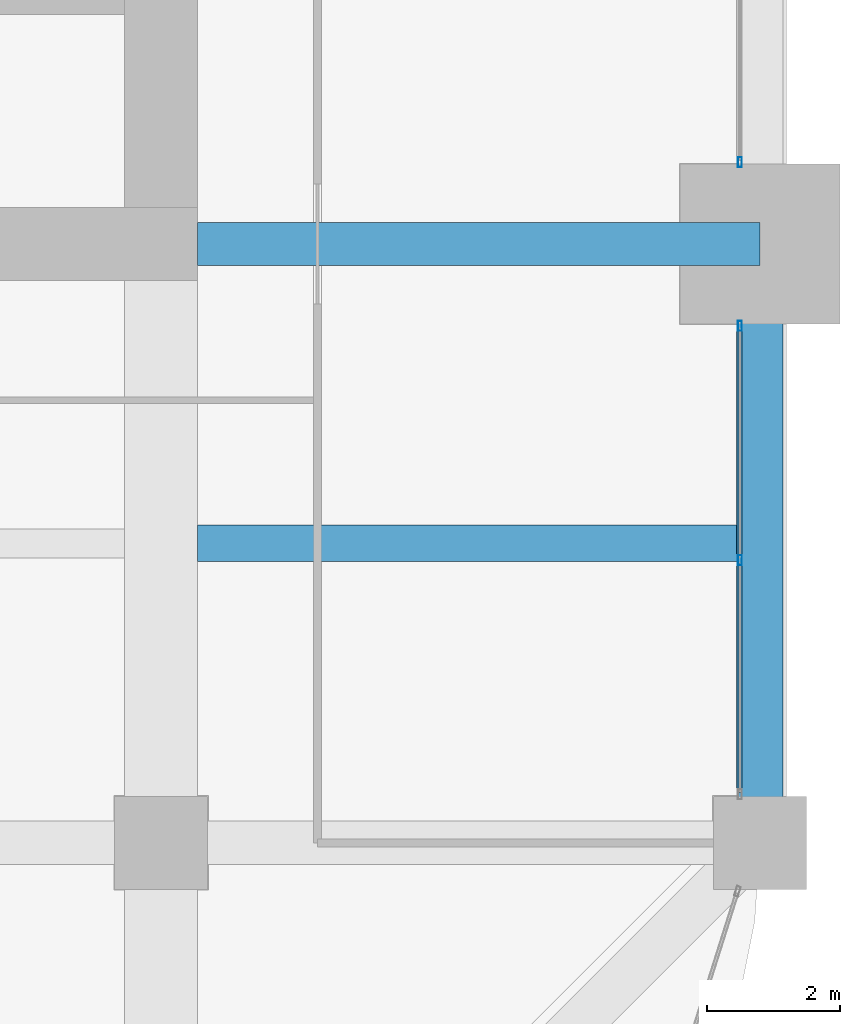
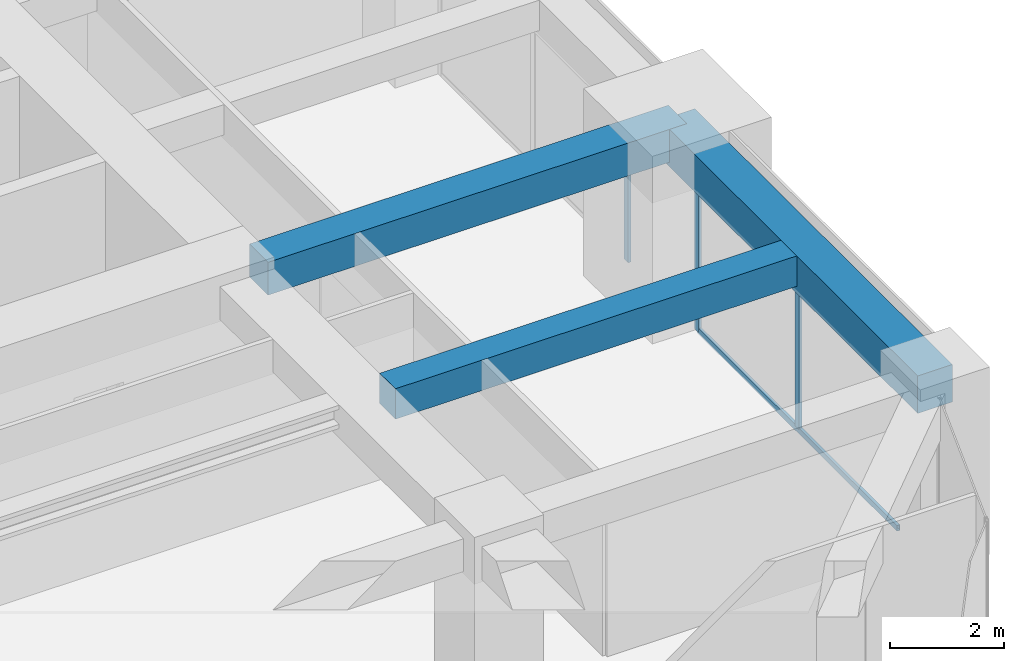
# One storey, part 17 of 33: 4 members, 3 beams, 2 elements without a shape of their own.
"""IFC4 building model written with IfcOpenShell, lengths in metres."""

from ifc_helpers import new_model, si_unit, direction, frame, origin, origin_2d, place, context, subcontext, project, spatial, rectangle, hollow_rectangle, extrude, material, material_profile, profile_set, type_object, element, aggregate, save


model = new_model("IFC4")

# Units and contexts
model_context = context("Model", 3, precision=1e-05, world=origin(), true_north=direction((0.0, 1.0)))
body_context = subcontext(model_context, "Body", "Model", "MODEL_VIEW")
ifc_project = project(units=[si_unit("LENGTHUNIT", "METRE"), si_unit("AREAUNIT", "SQUARE_METRE"), si_unit("VOLUMEUNIT", "CUBIC_METRE"), si_unit("PLANEANGLEUNIT", "RADIAN"), si_unit("MASSUNIT", "GRAM", prefix="KILO")], contexts=[model_context])

# Site, building, storey
site_placement = place(None, origin())
site = spatial("IfcSite", under=ifc_project, at=site_placement, CompositionType="ELEMENT")
building_placement = place(site_placement, origin())
building = spatial("IfcBuilding", under=site, at=building_placement, Name="Zorevar Civic Tower", CompositionType="ELEMENT")
storey_placement = place(building_placement, frame((0.0, 0.0, 206.199951171875)))
storey = spatial("IfcBuildingStorey", under=building, at=storey_placement, Name="L50", CompositionType="ELEMENT", Elevation=206.199951171875)

# Beams
ifc_material_1 = material(Name="Concrete C50/60", Category="concrete")
ifc_material_profile_1 = material_profile(ifc_material_1, rectangle(XDim=0.550048828125, YDim=0.64990234375, at=origin_2d()), Name="RC 550x650")
ifc_profile_set_1 = profile_set([ifc_material_profile_1], Name="Concrete C50/60")
beam_type_1 = type_object("IfcBeamType", Name="Beam RC 550x650", PredefinedType="BEAM", material=ifc_profile_set_1)
beam_1_placement = place(storey_placement, frame((45.550048828125, 13.5, 3.425048828125), z_axis=(1.0, 0.0, 0.0), x_axis=(0.0, 1.0, 0.0)))
element("IfcBeam", 1, at=beam_1_placement, inside=storey, type_object=beam_type_1, Name="Secondary beam L51", PredefinedType="BEAM", context=body_context, shape_type="SweptSolid", body=[
    extrude(rectangle(XDim=0.550048828125, YDim=0.64990234375, at=origin_2d()), origin(), (0.0, 0.0, 1.0), 8.099853515625),
])
ifc_material_2 = material(Name="Concrete C50/60", Category="concrete")
ifc_material_profile_2 = material_profile(ifc_material_2, rectangle(XDim=0.64990234375, YDim=0.699951171875, at=origin_2d()), Name="RC 650x700")
ifc_profile_set_2 = profile_set([ifc_material_profile_2], Name="Concrete C50/60")
beam_type_2 = type_object("IfcBeamType", Name="Beam RC 650x700", PredefinedType="BEAM", material=ifc_profile_set_2)
beam_2_placement = place(storey_placement, frame((45.550048828125, 18.0, 3.400146484375), z_axis=(1.0, 0.0, 0.0), x_axis=(0.0, 1.0, 0.0)))
element("IfcBeam", 2, at=beam_2_placement, inside=storey, type_object=beam_type_2, Name="Girder L51", PredefinedType="BEAM", context=body_context, shape_type="SweptSolid", body=[
    extrude(rectangle(XDim=0.64990234375, YDim=0.699951171875, at=origin_2d()), origin(), (0.0, 0.0, 1.0), 8.449951171875),
])

# Curtain wall, members
ifc_material_3 = material(Name="Dark grey solar-control glass in black aluminium frame", Category="aluminium")
curtain_wall_type = type_object("IfcCurtainWallType", Name="Curtain wall CW4 high zone", PredefinedType="NOTDEFINED", material=ifc_material_3)
curtain_wall_1_placement = place(storey_placement, origin())
curtain_wall_1 = element("IfcCurtainWall", 3, at=curtain_wall_1_placement, inside=storey, type_object=curtain_wall_type, Name="CW4 L50", PredefinedType="NOTDEFINED")
ifc_material_4 = material(Name="Aluminium, black anodised", Category="aluminium")
ifc_material_profile_3 = material_profile(ifc_material_4, hollow_rectangle(XDim=0.06005859375, YDim=0.14990234375, WallThickness=0.00390625, at=origin_2d()), Name="AL 150x60x4")
ifc_profile_set_3 = profile_set([ifc_material_profile_3], Name="Aluminium, black anodised")
member_type_1 = type_object("IfcMemberType", Name="CW4 mullion AL 150x60x4", PredefinedType="MULLION", material=ifc_profile_set_3)
member_1_placement = place(storey_placement, frame((53.699951171875, 13.25, 0.06005859375), z_axis=(0.0, 0.0, 1.0), x_axis=(-1.0, 0.0, 0.0)))
member_1 = element("IfcMember", 4, at=member_1_placement, type_object=member_type_1, Name="CW4 mullion 2", PredefinedType="MULLION", context=body_context, shape_type="SweptSolid", body=[
    extrude(hollow_rectangle(XDim=0.06005859375, YDim=0.14990234375, WallThickness=0.00390625, at=origin_2d()), origin(), (0.0, 0.0, 1.0), 2.889892578125),
])
member_2_placement = place(storey_placement, frame((53.699951171875, 16.77001953125, 0.0), z_axis=(0.0, 0.0, 1.0), x_axis=(-1.0, 0.0, 0.0)))
member_2 = element("IfcMember", 5, at=member_2_placement, type_object=member_type_1, Name="CW4 mullion 3", PredefinedType="MULLION", context=body_context, shape_type="SweptSolid", body=[
    extrude(hollow_rectangle(XDim=0.06005859375, YDim=0.14990234375, WallThickness=0.00390625, at=origin_2d()), origin(), (0.0, 0.0, 1.0), 2.949951171875),
])

# Curtain wall, member
curtain_wall_2_placement = place(storey_placement, origin())
curtain_wall_2 = element("IfcCurtainWall", 6, at=curtain_wall_2_placement, inside=storey, type_object=curtain_wall_type, Name="CW4 L50", PredefinedType="NOTDEFINED")
member_3_placement = place(storey_placement, frame((53.699951171875, 19.22998046875, 0.0), z_axis=(0.0, 0.0, 1.0), x_axis=(-1.0, 0.0, 0.0)))
member_3 = element("IfcMember", 7, at=member_3_placement, type_object=member_type_1, Name="CW4 mullion 1", PredefinedType="MULLION", context=body_context, shape_type="SweptSolid", body=[
    extrude(hollow_rectangle(XDim=0.06005859375, YDim=0.14990234375, WallThickness=0.00390625, at=origin_2d()), origin(), (0.0, 0.0, 1.0), 2.949951171875),
])
aggregate(curtain_wall_2, [member_3])

# Member
ifc_material_5 = material(Name="Aluminium, black anodised", Category="aluminium")
ifc_material_profile_4 = material_profile(ifc_material_5, hollow_rectangle(XDim=0.06005859375, YDim=0.1201171875, WallThickness=0.0029296875, at=origin_2d()), Name="AL 120x60x3")
ifc_profile_set_4 = profile_set([ifc_material_profile_4], Name="Aluminium, black anodised")
member_type_2 = type_object("IfcMemberType", Name="CW4 transom AL 120x60x3", PredefinedType="USERDEFINED", material=ifc_profile_set_4)
member_4_placement = place(storey_placement, frame((53.699951171875, 9.760009765625, 0.030029296875), z_axis=(0.0, 1.0, 0.0), x_axis=(-1.0, 0.0, 0.0)))
member_4 = element("IfcMember", 8, at=member_4_placement, type_object=member_type_2, Name="CW4 sill transom", ObjectType="TRANSOM", PredefinedType="USERDEFINED", context=body_context, shape_type="SweptSolid", body=[
    extrude(hollow_rectangle(XDim=0.06005859375, YDim=0.1201171875, WallThickness=0.0029296875, at=origin_2d()), origin(), (0.0, 0.0, 1.0), 6.97998046875),
])

aggregate(curtain_wall_1, [member_1, member_2, member_4])

# Beam
ifc_material_6 = material(Name="Concrete C50/60", Category="concrete")
ifc_material_profile_5 = material_profile(ifc_material_6, rectangle(XDim=0.699951171875, YDim=0.800048828125, at=origin_2d()), Name="RC 700x800")
ifc_profile_set_5 = profile_set([ifc_material_profile_5], Name="Concrete C50/60")
beam_type_3 = type_object("IfcBeamType", Name="Edge beam RC 700x800", PredefinedType="SPANDREL", material=ifc_profile_set_5)
beam_3_placement = place(storey_placement, frame((54.0, 9.0, 3.35009765625), z_axis=(0.0, 1.0, 0.0), x_axis=(-1.0, 0.0, 0.0)))
element("IfcBeam", 9, at=beam_3_placement, inside=storey, type_object=beam_type_3, Name="Edge beam L51", PredefinedType="SPANDREL", context=body_context, shape_type="SweptSolid", body=[
    extrude(rectangle(XDim=0.699951171875, YDim=0.800048828125, at=origin_2d()), origin(), (0.0, 0.0, 1.0), 9.0),
])

save(model, "model.ifc")
